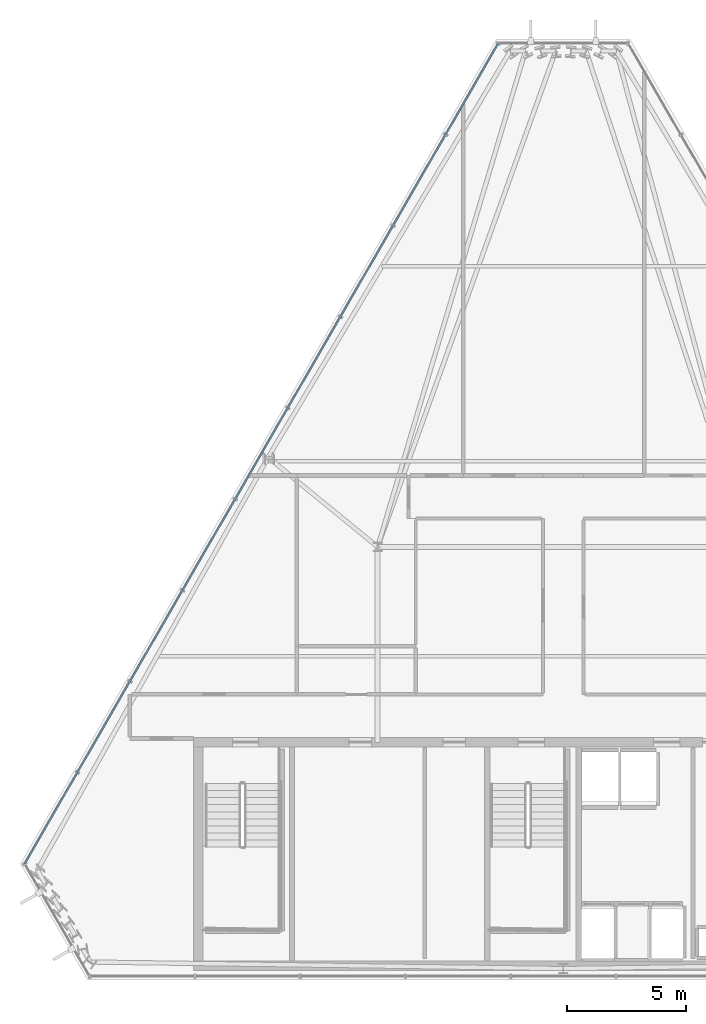
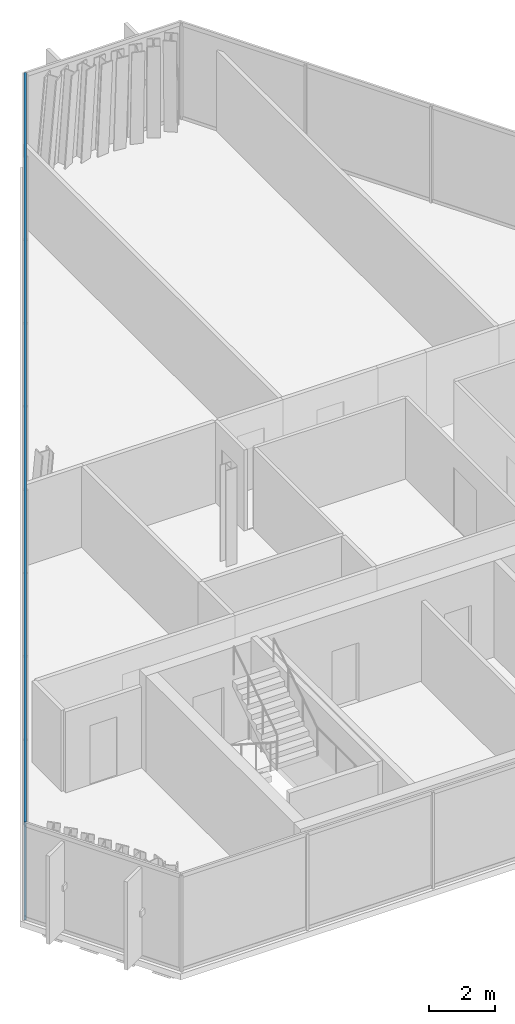
# One storey, part 13 of 34: 2 members, 1 element without a shape of its own.
"""IFC4 building model written with IfcOpenShell, lengths in metres."""

from ifc_helpers import new_model, si_unit, direction, frame, origin, origin_2d, place, context, subcontext, project, spatial, hollow_rectangle, extrude, material, layer, layer_set, material_profile, profile_set, type_object, element, aggregate, save


model = new_model("IFC4")

# Units and contexts
model_context = context("Model", 3, precision=1e-05, world=origin(), true_north=direction((0.0, 1.0)))
body_context = subcontext(model_context, "Body", "Model", "MODEL_VIEW")
ifc_project = project(units=[si_unit("LENGTHUNIT", "METRE"), si_unit("AREAUNIT", "SQUARE_METRE"), si_unit("VOLUMEUNIT", "CUBIC_METRE"), si_unit("PLANEANGLEUNIT", "RADIAN"), si_unit("MASSUNIT", "GRAM", prefix="KILO")], contexts=[model_context])

# Site, building, storey
site_placement = place(None, origin())
site = spatial("IfcSite", under=ifc_project, at=site_placement, CompositionType="ELEMENT")
building_placement = place(site_placement, origin())
building = spatial("IfcBuilding", under=site, at=building_placement, Name="Ndaravel Arena Tower", CompositionType="ELEMENT")
storey_placement = place(building_placement, frame((0.0, 0.0, 267.39990234375)))
storey = spatial("IfcBuildingStorey", under=building, at=storey_placement, Name="L65", CompositionType="ELEMENT", Elevation=267.39990234375)

# Curtain wall, members
ifc_material_1 = material(Name="Aluminium", Category="aluminium")
ifc_layer = layer(ifc_material_1, 0.179931640625)
ifc_layer_set = layer_set([ifc_layer], Name="Aluminium")
curtain_wall_type = type_object("IfcCurtainWallType", Name="CW-SYS-03", PredefinedType="NOTDEFINED", material=ifc_layer_set)
curtain_wall_placement = place(storey_placement, origin())
curtain_wall = element("IfcCurtainWall", 1, at=curtain_wall_placement, inside=storey, type_object=curtain_wall_type, Name="L65 Faceted Crystal Curtain Wall CW-L65-E05", PredefinedType="NOTDEFINED")
ifc_material_2 = material(Name="Aluminium", Category="aluminium")
ifc_material_profile = material_profile(ifc_material_2, hollow_rectangle(XDim=0.074951171875, YDim=0.14990234375, WallThickness=0.00390625, at=origin_2d()), Name="CW TRANSOM 75x150x4")
ifc_profile_set = profile_set([ifc_material_profile], Name="Aluminium")
member_type = type_object("IfcMemberType", Name="MEM-CW-TRN150", PredefinedType="USERDEFINED", material=ifc_profile_set)
member_1_placement = place(storey_placement, frame((39.269775390625, 44.3583984375, 0.0400390625), z_axis=(-0.499998378553, -0.866026339926, 0.0), x_axis=(0.866026339926, -0.499998378553, 0.0)))
member_1 = element("IfcMember", 2, at=member_1_placement, type_object=member_type, Name="CW-L65-E05 Transom 01", ObjectType="TRANSOM", PredefinedType="USERDEFINED", context=body_context, shape_type="SweptSolid", body=[
    extrude(hollow_rectangle(XDim=0.074951171875, YDim=0.14990234375, WallThickness=0.00390625, at=origin_2d()), origin(), (0.0, 0.0, 1.0), 39.802001953125),
])
member_2_placement = place(storey_placement, frame((39.269775390625, 44.3583984375, 3.5400390625), z_axis=(-0.499998378553, -0.866026339926, 0.0), x_axis=(0.866026339926, -0.499998378553, 0.0)))
member_2 = element("IfcMember", 3, at=member_2_placement, type_object=member_type, Name="CW-L65-E05 Transom 02", ObjectType="TRANSOM", PredefinedType="USERDEFINED", context=body_context, shape_type="SweptSolid", body=[
    extrude(hollow_rectangle(XDim=0.074951171875, YDim=0.14990234375, WallThickness=0.00390625, at=origin_2d()), origin(), (0.0, 0.0, 1.0), 39.802001953125),
])
aggregate(curtain_wall, [member_1, member_2])

save(model, "model.ifc")
